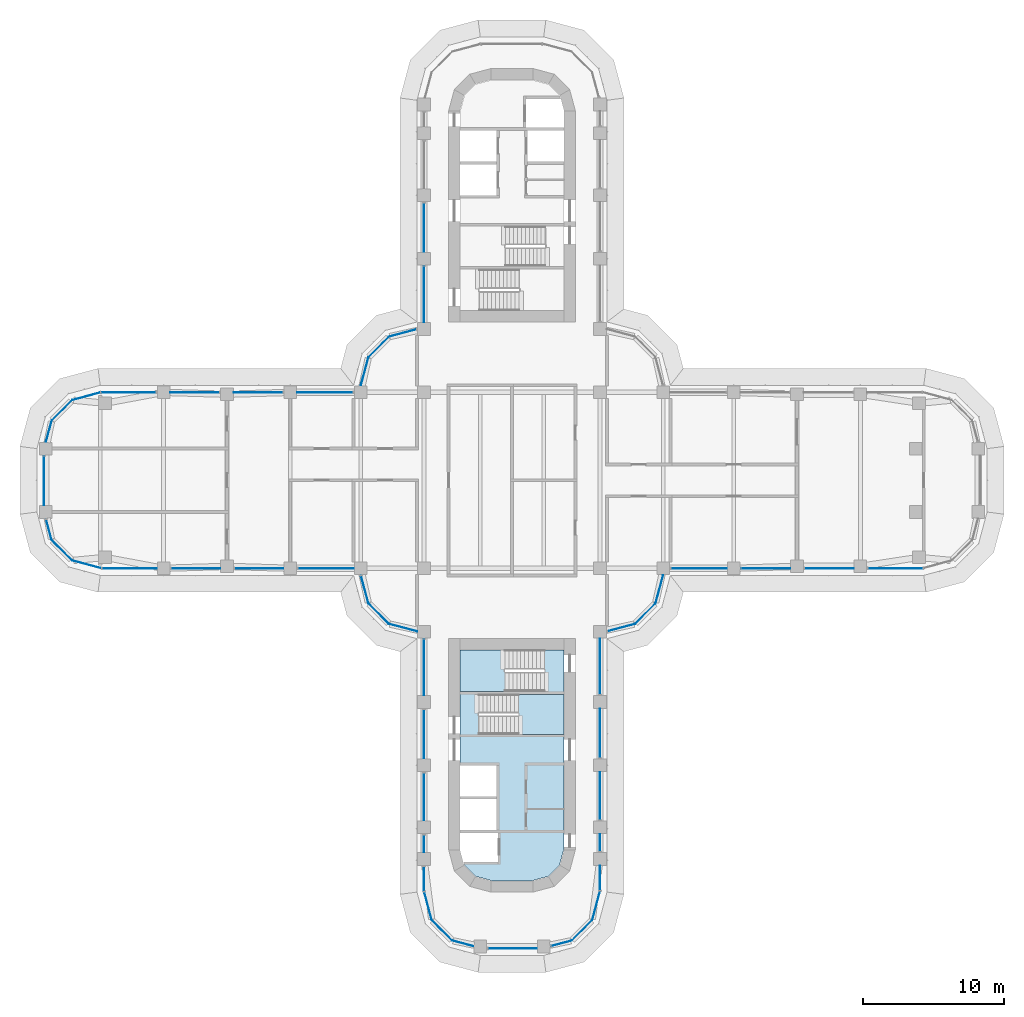
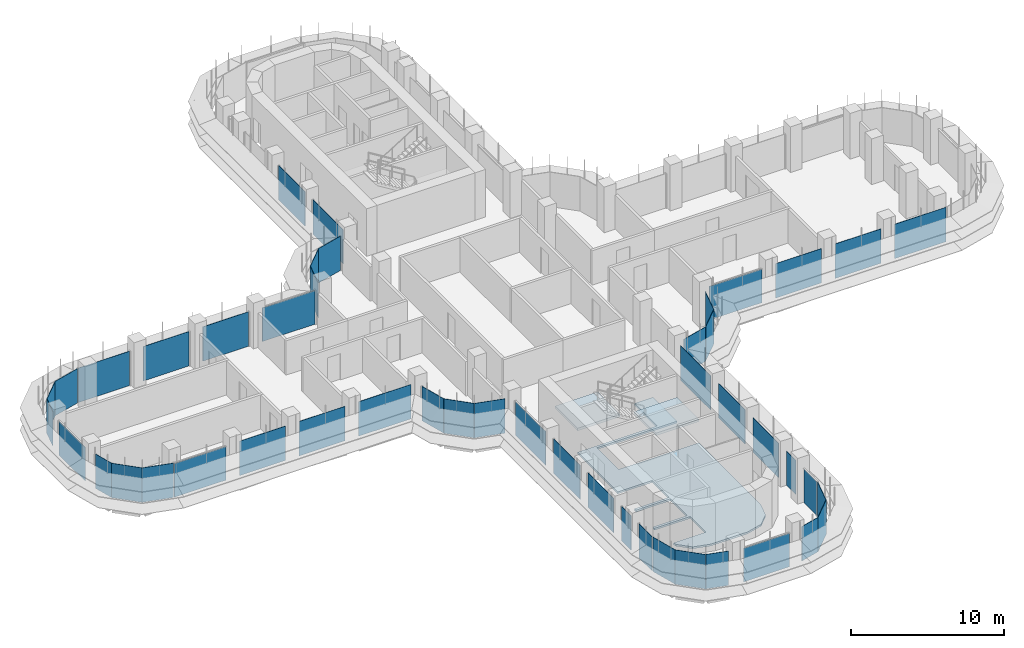
# One storey, part 12 of 22: 47 plates, 3 slabs, 31 elements without a shape of their own.
"""IFC4 building model written with IfcOpenShell, lengths in metres."""

import ifcopenshell
import ifcopenshell.guid

model = None  # the IFC model being written
_history = None  # IfcOwnerHistory: only IFC2X3 demands one
_inside = {}  # id of a spatial element -> (the spatial element, [elements in it])
_under = {}  # id of a project, library or spatial element -> (it, [spatial elements below it])
_declared = {}  # id of a project -> (the project, [libraries it declares])
_typed = {}  # id of a type object -> (the type object, [elements of that type])
_made_of = {}  # id of a material, layer set ... -> (it, [elements and type objects made of it])


def new_model(schema):
    """Start an empty IFC model of exactly this schema.

    Asked for "IFC4X3", IfcOpenShell would pick the latest addendum, in which some entities
    have other attributes; the version numbers below select the first issue.
    IFC2X3 requires an IfcOwnerHistory on every rooted entity: one is made here for all.
    """
    global model, _history
    if schema == "IFC4X3":
        model = ifcopenshell.file(schema_version=(4, 3, 0, 0))
    else:
        model = ifcopenshell.file(schema=schema)
    _inside.clear()
    _under.clear()
    _declared.clear()
    _typed.clear()
    _made_of.clear()
    _history = None
    if model.schema == "IFC2X3":
        org = make("IfcOrganization", Name="unknown")
        user = make(
            "IfcPersonAndOrganization",
            ThePerson=make("IfcPerson", FamilyName="unknown"),
            TheOrganization=org,
        )
        app = make(
            "IfcApplication",
            ApplicationDeveloper=org,
            Version="unknown",
            ApplicationFullName="unknown",
            ApplicationIdentifier="unknown",
        )
        _history = make(
            "IfcOwnerHistory",
            OwningUser=user,
            OwningApplication=app,
            ChangeAction="ADDED",
            CreationDate=0,
        )
    return model


def make(cls, **values):
    """One entity of the class cls with the attributes given. An attribute that is None is left unset."""
    return model.create_entity(
        cls, **{name: value for name, value in values.items() if value is not None}
    )


def rooted(cls, **values):
    """An entity with a GlobalId (a new one), such as an element, a storey or a relation."""
    return make(cls, GlobalId=ifcopenshell.guid.new(), OwnerHistory=_history, **values)


def si_unit(unit_type, name, prefix=None):
    """IfcSIUnit, for example si_unit("LENGTHUNIT", "METRE", prefix="MILLI")."""
    return make("IfcSIUnit", UnitType=unit_type, Prefix=prefix, Name=name)


def assignment(units):
    """IfcUnitAssignment: the units of a project."""
    return None if units is None else make("IfcUnitAssignment", Units=units)


def point(xyz):
    """IfcCartesianPoint."""
    return None if xyz is None else make("IfcCartesianPoint", Coordinates=xyz)


def direction(xyz):
    """IfcDirection."""
    return None if xyz is None else make("IfcDirection", DirectionRatios=xyz)


def frame(location, z_axis=None, x_axis=None):
    """IfcAxis2Placement3D, a coordinate frame: its origin and axes. An axis left out is left unset."""
    return make(
        "IfcAxis2Placement3D",
        Location=point(location),
        Axis=direction(z_axis),
        RefDirection=direction(x_axis),
    )


def origin():
    """The frame at (0, 0, 0) with its axes left unset."""
    return frame((0.0, 0.0, 0.0))


def place(relative_to, where):
    """IfcLocalPlacement: puts the frame where relative to a parent placement (None: the world)."""
    return make(
        "IfcLocalPlacement", PlacementRelTo=relative_to, RelativePlacement=where
    )


def context(
    kind, dimensions, precision=None, world=None, true_north=None, identifier=None
):
    """IfcGeometricRepresentationContext, for example the 3D "Model" context."""
    return make(
        "IfcGeometricRepresentationContext",
        ContextIdentifier=identifier,
        ContextType=kind,
        CoordinateSpaceDimension=dimensions,
        Precision=precision,
        WorldCoordinateSystem=world,
        TrueNorth=true_north,
    )


def subcontext(parent, identifier, kind, view, scale=None):
    """IfcGeometricRepresentationSubContext, for example "Body" below "Model"."""
    return make(
        "IfcGeometricRepresentationSubContext",
        ContextIdentifier=identifier,
        ContextType=kind,
        ParentContext=parent,
        TargetScale=scale,
        TargetView=view,
    )


def project(units=None, contexts=None):
    """IfcProject with its units and contexts."""
    return rooted(
        "IfcProject",
        Name="project",
        RepresentationContexts=contexts,
        UnitsInContext=assignment(units),
    )


def spatial(cls, under=None, at=None, **own):
    """A site, building, storey or space (cls), placed at a placement, below another one or the project."""
    s = rooted(cls, ObjectPlacement=at, **own)
    if under is not None:
        _under.setdefault(under.id(), (under, []))[1].append(s)
    return s


def polyline(points):
    """IfcPolyline through the points."""
    return make("IfcPolyline", Points=[point(p) for p in points])


def outline(outer, holes=None, kind="AREA"):
    """IfcArbitraryClosedProfileDef: a profile drawn as a closed curve; with holes, ...WithVoids."""
    if holes is None:
        return make("IfcArbitraryClosedProfileDef", ProfileType=kind, OuterCurve=outer)
    return make(
        "IfcArbitraryProfileDefWithVoids",
        ProfileType=kind,
        OuterCurve=outer,
        InnerCurves=holes,
    )


def extrude(swept, where, along, depth):
    """IfcExtrudedAreaSolid: the profile swept, set in the frame where, extruded along a direction by depth."""
    return make(
        "IfcExtrudedAreaSolid",
        SweptArea=swept,
        Position=where,
        ExtrudedDirection=direction(along),
        Depth=depth,
    )


def shape(context_of_items, identifier, shape_type, items):
    """IfcShapeRepresentation: the items that make up one representation, for example the "Body"."""
    return make(
        "IfcShapeRepresentation",
        ContextOfItems=context_of_items,
        RepresentationIdentifier=identifier,
        RepresentationType=shape_type,
        Items=items,
    )


def source(mapping_origin, context_of_items, identifier, shape_type, items):
    """IfcRepresentationMap: a shape defined once, which mapped items show again and again."""
    return make(
        "IfcRepresentationMap",
        MappingOrigin=mapping_origin,
        MappedRepresentation=shape(context_of_items, identifier, shape_type, items),
    )


def transform(
    local_origin,
    x_axis=None,
    y_axis=None,
    z_axis=None,
    scale=None,
    scale2=None,
    scale3=None,
    uniform=True,
):
    """IfcCartesianTransformationOperator3D, or its non-uniform kind. x_axis, y_axis, z_axis: its Axis1, 2, 3."""
    if uniform:
        return make(
            "IfcCartesianTransformationOperator3D",
            Axis1=direction(x_axis),
            Axis2=direction(y_axis),
            LocalOrigin=point(local_origin),
            Scale=scale,
            Axis3=direction(z_axis),
        )
    return make(
        "IfcCartesianTransformationOperator3DnonUniform",
        Axis1=direction(x_axis),
        Axis2=direction(y_axis),
        LocalOrigin=point(local_origin),
        Scale=scale,
        Axis3=direction(z_axis),
        Scale2=scale2,
        Scale3=scale3,
    )


def mapped(mapping_source, mapping_target):
    """IfcMappedItem: shows the shape of a source again, moved by a transform."""
    return make(
        "IfcMappedItem", MappingSource=mapping_source, MappingTarget=mapping_target
    )


def material(Name=None, Category=None):
    """IfcMaterial."""
    return make("IfcMaterial", Name=Name, Category=Category)


def layer(
    of_material, thickness, ventilated=None, Name=None, Category=None, Priority=None
):
    """IfcMaterialLayer: one layer of a wall or slab, of a material (None: an air gap)."""
    return make(
        "IfcMaterialLayer",
        Material=of_material,
        LayerThickness=thickness,
        IsVentilated=ventilated,
        Name=Name,
        Category=Category,
        Priority=Priority,
    )


def layer_set(layers, Name=None):
    """IfcMaterialLayerSet."""
    return make("IfcMaterialLayerSet", MaterialLayers=layers, LayerSetName=Name)


def made_of(thing, what):
    """Note that an element or type object is made of a material, layer set ...; save() writes the relation."""
    if what is not None:
        _made_of.setdefault(what.id(), (what, []))[1].append(thing)
    return thing


def type_object(cls, material=None, **own):
    """A type object (cls), such as IfcWallType, which elements share."""
    return made_of(rooted(cls, **own), material)


def element(
    cls,
    number,
    at=None,
    inside=None,
    cuts=None,
    type_object=None,
    material=None,
    context=None,
    identifier="Body",
    shape_type=None,
    held_by="IfcProductDefinitionShape",
    body=None,
    shapes=None,
    **own,
):
    """One element of the class cls, such as IfcWall. Its Tag is "e" and its number.

    at: its placement. inside: the storey or other place that contains it. cuts: it is an
    opening in that element (IfcRelVoidsElement). A single representation is given by context,
    identifier, shape_type and body (its items); several are given by shapes. held_by: the class
    of the entity that holds the representations. save() writes the other relations.
    """
    e = rooted(cls, Tag="e%d" % number, ObjectPlacement=at, **own)
    if body is not None:
        shapes = [shape(context, identifier, shape_type, body)]
    if shapes is not None:
        e.Representation = make(held_by, Representations=shapes)
    if inside is not None:
        _inside.setdefault(inside.id(), (inside, []))[1].append(e)
    if cuts is not None:
        rooted(
            "IfcRelVoidsElement", RelatingBuildingElement=cuts, RelatedOpeningElement=e
        )
    if type_object is not None:
        _typed.setdefault(type_object.id(), (type_object, []))[1].append(e)
    return made_of(e, material)


def aggregate(whole, parts):
    """IfcRelAggregates: a whole, such as a stair, and the parts it consists of."""
    return rooted("IfcRelAggregates", RelatingObject=whole, RelatedObjects=parts)


def save(model, path):
    """Write the relations noted so far, then the file.

    IfcRelAggregates (storeys below a building ...), IfcRelContainedInSpatialStructure (elements
    in a storey), IfcRelDefinesByType, IfcRelAssociatesMaterial and IfcRelDeclares: one each for
    every whole, place, type object, material and project.
    """
    for whole, parts in _under.values():
        aggregate(whole, parts)
    for where, things in _inside.values():
        rooted(
            "IfcRelContainedInSpatialStructure",
            RelatedElements=things,
            RelatingStructure=where,
        )
    for kind, things in _typed.values():
        rooted("IfcRelDefinesByType", RelatedObjects=things, RelatingType=kind)
    for what, things in _made_of.values():
        rooted("IfcRelAssociatesMaterial", RelatedObjects=things, RelatingMaterial=what)
    for by, libraries in _declared.values():
        rooted("IfcRelDeclares", RelatingContext=by, RelatedDefinitions=libraries)
    model.write(path)


model = new_model("IFC4")

# Units and contexts
model_context = context("Model", 3, precision=1e-05, world=origin(), true_north=direction((0.0, 1.0)))
body_context = subcontext(model_context, "Body", "Model", "MODEL_VIEW")
ifc_project = project(units=[si_unit("LENGTHUNIT", "METRE"), si_unit("AREAUNIT", "SQUARE_METRE"), si_unit("VOLUMEUNIT", "CUBIC_METRE"), si_unit("PLANEANGLEUNIT", "RADIAN"), si_unit("MASSUNIT", "GRAM", prefix="KILO")], contexts=[model_context])

# Site, building, storey
site_placement = place(None, origin())
site = spatial("IfcSite", under=ifc_project, at=site_placement, CompositionType="ELEMENT")
building_placement = place(site_placement, origin())
building = spatial("IfcBuilding", under=site, at=building_placement, Name="Zarbagh Exchange Tower", CompositionType="ELEMENT")
storey_placement = place(building_placement, frame((0.0, 0.0, 105.60009765625)))
storey = spatial("IfcBuildingStorey", under=building, at=storey_placement, Name="L24", CompositionType="ELEMENT", Elevation=105.60009765625)

# Slab
ifc_material_1 = material(Name="Concrete C40/50", Category="concrete")
ifc_layer_1 = layer(ifc_material_1, 0.14990234375)
ifc_layer_set_1 = layer_set([ifc_layer_1], Name="Core floor slab 150 C40/50")
slab_type_1 = type_object("IfcSlabType", Name="Core floor slab 150 C40/50", PredefinedType="FLOOR", material=ifc_layer_set_1)
slab_1_placement = place(storey_placement, frame((0.0, 0.0, -0.150146484375)))
element("IfcSlab", 1, at=slab_1_placement, inside=storey, type_object=slab_type_1, Name="S17 core S", PredefinedType="FLOOR", context=body_context, shape_type="SweptSolid", body=[
    extrude(outline(polyline([(-2.5859375, -28.130859375), (-3.380859375, -27.3359375), (-3.646484375, -26.3447265625), (-3.444091796875, -27.10009765625), (-1.0, -27.10009765625), (-1.0, -25.050048828125), (-3.699951171875, -25.050048828125), (-3.699951171875, -24.85009765625), (-1.10009765625, -24.85009765625), (-1.10009765625, -22.64990234375), (-3.699951171875, -22.64990234375), (-3.699951171875, -22.449951171875), (-1.10009765625, -22.449951171875), (-1.10009765625, -20.25), (-3.699951171875, -20.25), (-3.699951171875, -15.0), (2.300048828125, -15.0), (2.300048828125, -12.050048828125), (3.699951171875, -12.050048828125), (3.699951171875, -15.199951171875), (-2.35009765625, -15.199951171875), (-2.35009765625, -18.050048828125), (3.699951171875, -18.050048828125), (3.699951171875, -26.144775390625), (3.380859375, -27.3359375), (2.5859375, -28.130859375), (1.394775390625, -28.449951171875), (-1.394775390625, -28.449951171875), (-2.5859375, -28.130859375)])), origin(), (0.0, 0.0, 1.0), 0.150146484375),
])

# Stair, slab
stair_type = type_object("IfcStairType", Name="Exit stair two-flight half-turn", PredefinedType="HALF_TURN_STAIR", material=ifc_material_1)
stair_1_placement = place(storey_placement, origin())
stair_1 = element("IfcStair", 2, at=stair_1_placement, inside=storey, type_object=stair_type, Name="exit stair ST3", PredefinedType="HALF_TURN_STAIR")
ifc_layer_2 = layer(ifc_material_1, 0.199951171875)
ifc_layer_set_2 = layer_set([ifc_layer_2], Name="Stair landing 200 mm")
slab_type_2 = type_object("IfcSlabType", Name="Stair landing 200 mm", PredefinedType="LANDING", material=ifc_layer_set_2)
slab_2_placement = place(storey_placement, frame((0.0, 0.0, 1.699951171875)))
slab_2 = element("IfcSlab", 3, at=slab_2_placement, type_object=slab_type_2, Name="ST3 landing 1", PredefinedType="LANDING", context=body_context, shape_type="SweptSolid", body=[
    extrude(outline(polyline([(0.449951171875, -18.050048828125), (3.699951171875, -18.050048828125), (3.699951171875, -15.199951171875), (0.449951171875, -15.199951171875), (0.449951171875, -18.050048828125)])), origin(), (0.0, 0.0, 1.0), 0.199951171875),
])
aggregate(stair_1, [slab_2])

stair_2_placement = place(storey_placement, origin())
stair_2 = element("IfcStair", 4, at=stair_2_placement, inside=storey, type_object=stair_type, Name="exit stair ST4", PredefinedType="HALF_TURN_STAIR")
slab_3_placement = place(storey_placement, frame((0.0, 0.0, 1.699951171875)))
slab_3 = element("IfcSlab", 5, at=slab_3_placement, type_object=slab_type_2, Name="ST4 landing 1", PredefinedType="LANDING", context=body_context, shape_type="SweptSolid", body=[
    extrude(outline(polyline([(-0.5, -12.050048828125), (-3.699951171875, -12.050048828125), (-3.699951171875, -15.0), (-0.5, -15.0), (-0.5, -12.050048828125)])), origin(), (0.0, 0.0, 1.0), 0.199951171875),
])
aggregate(stair_2, [slab_3])

# Curtain wall, plate
ifc_material_2 = material(Name="Anodised aluminium frame and glazing", Category="aluminium")
curtain_wall_type = type_object("IfcCurtainWallType", Name="CWA Ribbon glazing, lower zones", PredefinedType="NOTDEFINED", material=ifc_material_2)
curtain_wall_1_placement = place(storey_placement, origin())
curtain_wall_1 = element("IfcCurtainWall", 6, at=curtain_wall_1_placement, inside=storey, type_object=curtain_wall_type, Name="CWA01 curtain wall", PredefinedType="NOTDEFINED")
ifc_material_3 = material(Name="Low-e double glazed unit, 6+12+6 mm")
ifc_layer_3 = layer(ifc_material_3, 0.028076171875)
ifc_layer_set_3 = layer_set([ifc_layer_3], Name="PAA Glazing panel, Low-e double glazed unit, 6+12+6 mm")
plate_type = type_object("IfcPlateType", Name="PAA Glazing panel, Low-e double glazed unit, 6+12+6 mm", PredefinedType="CURTAIN_PANEL", material=ifc_layer_set_3)
shared_shape_1 = source(origin(), body_context, "Body", "SweptSolid", [
    extrude(outline(polyline([(0.0, -0.013916015625), (1.494140625, -0.013916015625), (1.494140625, 0.013916015625), (0.0, 0.013916015625), (0.0, -0.013916015625)])), origin(), (0.0, 0.0, 1.0), 2.75),
])
placement = place(storey_placement, origin())
plate_1 = element("IfcPlate", 7, at=placement, type_object=plate_type, Name="CWA01 glazing panel 1.1", PredefinedType="CURTAIN_PANEL", context=body_context, shape_type="MappedRepresentation", body=[
    mapped(shared_shape_1, transform((2.7978515625, -33.08544921875, 0.0), x_axis=(0.965924289636, 0.258824779902, 0.0), y_axis=(-0.258824779902, 0.965924289636, 0.0), z_axis=(0.0, 0.0, 1.0))),
])
aggregate(curtain_wall_1, [plate_1])

curtain_wall_2_placement = place(storey_placement, origin())
curtain_wall_2 = element("IfcCurtainWall", 8, at=curtain_wall_2_placement, inside=storey, type_object=curtain_wall_type, Name="CWA37 curtain wall", PredefinedType="NOTDEFINED")
plate_2 = element("IfcPlate", 9, at=placement, type_object=plate_type, Name="CWA37 glazing panel 1.1", PredefinedType="CURTAIN_PANEL", context=body_context, shape_type="MappedRepresentation", body=[
    mapped(shared_shape_1, transform((-33.08544921875, -2.7978515625, 0.0), x_axis=(0.258824779902, -0.965924289636, 0.0), y_axis=(0.965924289636, 0.258824779902, 0.0), z_axis=(0.0, 0.0, 1.0))),
])
aggregate(curtain_wall_2, [plate_2])

curtain_wall_3_placement = place(storey_placement, origin())
curtain_wall_3 = element("IfcCurtainWall", 10, at=curtain_wall_3_placement, inside=storey, type_object=curtain_wall_type, Name="CWA02 curtain wall", PredefinedType="NOTDEFINED")
shared_shape_2 = source(origin(), body_context, "Body", "SweptSolid", [
    extrude(outline(polyline([(0.0, -0.013916015625), (2.061279296875, -0.013916015625), (2.061279296875, 0.013916015625), (0.0, 0.013916015625), (0.0, -0.013916015625)])), origin(), (0.0, 0.0, 1.0), 2.75),
])
plate_3 = element("IfcPlate", 11, at=placement, type_object=plate_type, Name="CWA02 glazing panel 1.1", PredefinedType="CURTAIN_PANEL", context=body_context, shape_type="MappedRepresentation", body=[
    mapped(shared_shape_2, transform((4.2412109375, -32.69873046875, 0.0), x_axis=(0.707106781187, 0.707106781187, 0.0), y_axis=(-0.707106781187, 0.707106781187, 0.0), z_axis=(0.0, 0.0, 1.0))),
])
aggregate(curtain_wall_3, [plate_3])

curtain_wall_4_placement = place(storey_placement, origin())
curtain_wall_4 = element("IfcCurtainWall", 12, at=curtain_wall_4_placement, inside=storey, type_object=curtain_wall_type, Name="CWA06 curtain wall", PredefinedType="NOTDEFINED")
plate_4 = element("IfcPlate", 13, at=placement, type_object=plate_type, Name="CWA06 glazing panel 1.1", PredefinedType="CURTAIN_PANEL", context=body_context, shape_type="MappedRepresentation", body=[
    mapped(shared_shape_2, transform((8.7412109375, -10.19873046875, 0.0), x_axis=(0.707106781187, 0.707106781187, 0.0), y_axis=(-0.707106781187, 0.707106781187, 0.0), z_axis=(0.0, 0.0, 1.0))),
])
aggregate(curtain_wall_4, [plate_4])

curtain_wall_5_placement = place(storey_placement, origin())
curtain_wall_5 = element("IfcCurtainWall", 14, at=curtain_wall_5_placement, inside=storey, type_object=curtain_wall_type, Name="CWA30 curtain wall", PredefinedType="NOTDEFINED")
plate_5 = element("IfcPlate", 15, at=placement, type_object=plate_type, Name="CWA30 glazing panel 1.1", PredefinedType="CURTAIN_PANEL", context=body_context, shape_type="MappedRepresentation", body=[
    mapped(shared_shape_2, transform((-8.7412109375, 10.19873046875, 0.0), x_axis=(-0.707106781187, -0.707106781187, 0.0), y_axis=(0.707106781187, -0.707106781187, 0.0), z_axis=(0.0, 0.0, 1.0))),
])
aggregate(curtain_wall_5, [plate_5])

curtain_wall_6_placement = place(storey_placement, origin())
curtain_wall_6 = element("IfcCurtainWall", 16, at=curtain_wall_6_placement, inside=storey, type_object=curtain_wall_type, Name="CWA34 curtain wall", PredefinedType="NOTDEFINED")
plate_6 = element("IfcPlate", 17, at=placement, type_object=plate_type, Name="CWA34 glazing panel 1.1", PredefinedType="CURTAIN_PANEL", context=body_context, shape_type="MappedRepresentation", body=[
    mapped(shared_shape_2, transform((-31.2412109375, 5.69873046875, 0.0), x_axis=(-0.707106781187, -0.707106781187, 0.0), y_axis=(0.707106781187, -0.707106781187, 0.0), z_axis=(0.0, 0.0, 1.0))),
])
aggregate(curtain_wall_6, [plate_6])

curtain_wall_7_placement = place(storey_placement, origin())
curtain_wall_7 = element("IfcCurtainWall", 18, at=curtain_wall_7_placement, inside=storey, type_object=curtain_wall_type, Name="CWA38 curtain wall", PredefinedType="NOTDEFINED")
plate_7 = element("IfcPlate", 19, at=placement, type_object=plate_type, Name="CWA38 glazing panel 1.1", PredefinedType="CURTAIN_PANEL", context=body_context, shape_type="MappedRepresentation", body=[
    mapped(shared_shape_2, transform((-32.69873046875, -4.2412109375, 0.0), x_axis=(0.707106781187, -0.707106781187, 0.0), y_axis=(0.707106781187, 0.707106781187, 0.0), z_axis=(0.0, 0.0, 1.0))),
])
aggregate(curtain_wall_7, [plate_7])

curtain_wall_8_placement = place(storey_placement, origin())
curtain_wall_8 = element("IfcCurtainWall", 20, at=curtain_wall_8_placement, inside=storey, type_object=curtain_wall_type, Name="CWA42 curtain wall", PredefinedType="NOTDEFINED")
plate_8 = element("IfcPlate", 21, at=placement, type_object=plate_type, Name="CWA42 glazing panel 1.1", PredefinedType="CURTAIN_PANEL", context=body_context, shape_type="MappedRepresentation", body=[
    mapped(shared_shape_2, transform((-10.19873046875, -8.7412109375, 0.0), x_axis=(0.707106781187, -0.707106781187, 0.0), y_axis=(0.707106781187, 0.707106781187, 0.0), z_axis=(0.0, 0.0, 1.0))),
])
aggregate(curtain_wall_8, [plate_8])

curtain_wall_9_placement = place(storey_placement, origin())
curtain_wall_9 = element("IfcCurtainWall", 22, at=curtain_wall_9_placement, inside=storey, type_object=curtain_wall_type, Name="CWA46 curtain wall", PredefinedType="NOTDEFINED")
plate_9 = element("IfcPlate", 23, at=placement, type_object=plate_type, Name="CWA46 glazing panel 1.1", PredefinedType="CURTAIN_PANEL", context=body_context, shape_type="MappedRepresentation", body=[
    mapped(shared_shape_2, transform((-5.69873046875, -31.2412109375, 0.0), x_axis=(0.707106781187, -0.707106781187, 0.0), y_axis=(0.707106781187, 0.707106781187, 0.0), z_axis=(0.0, 0.0, 1.0))),
])
aggregate(curtain_wall_9, [plate_9])

curtain_wall_10_placement = place(storey_placement, origin())
curtain_wall_10 = element("IfcCurtainWall", 24, at=curtain_wall_10_placement, inside=storey, type_object=curtain_wall_type, Name="CWA03 curtain wall", PredefinedType="NOTDEFINED")
shared_shape_3 = source(origin(), body_context, "Body", "SweptSolid", [
    extrude(outline(polyline([(0.0, -0.013916015625), (2.129638671875, -0.013916015625), (2.129638671875, 0.013916015625), (0.0, 0.013916015625), (0.0, -0.013916015625)])), origin(), (0.0, 0.0, 1.0), 2.75),
])
plate_10 = element("IfcPlate", 25, at=placement, type_object=plate_type, Name="CWA03 glazing panel 1.1", PredefinedType="CURTAIN_PANEL", context=body_context, shape_type="MappedRepresentation", body=[
    mapped(shared_shape_3, transform((5.69873046875, -31.2412109375, 0.0), x_axis=(0.258824779902, 0.965924289636, 0.0), y_axis=(-0.965924289636, 0.258824779902, 0.0), z_axis=(0.0, 0.0, 1.0))),
])
aggregate(curtain_wall_10, [plate_10])

curtain_wall_11_placement = place(storey_placement, origin())
curtain_wall_11 = element("IfcCurtainWall", 26, at=curtain_wall_11_placement, inside=storey, type_object=curtain_wall_type, Name="CWA39 curtain wall", PredefinedType="NOTDEFINED")
plate_11 = element("IfcPlate", 27, at=placement, type_object=plate_type, Name="CWA39 glazing panel 1.1", PredefinedType="CURTAIN_PANEL", context=body_context, shape_type="MappedRepresentation", body=[
    mapped(shared_shape_3, transform((-31.2412109375, -5.69873046875, 0.0), x_axis=(0.965924289636, -0.258824779902, 0.0), y_axis=(0.258824779902, 0.965924289636, 0.0), z_axis=(0.0, 0.0, 1.0))),
])
aggregate(curtain_wall_11, [plate_11])

# Curtain wall, plates
curtain_wall_12_placement = place(storey_placement, origin())
curtain_wall_12 = element("IfcCurtainWall", 28, at=curtain_wall_12_placement, inside=storey, type_object=curtain_wall_type, Name="CWA04 curtain wall", PredefinedType="NOTDEFINED")
shared_shape_4 = source(origin(), body_context, "Body", "SweptSolid", [
    extrude(outline(polyline([(0.0, -0.013916015625), (1.734130859375, -0.013916015625), (1.734130859375, 0.013916015625), (0.0, 0.013916015625), (0.0, -0.013916015625)])), origin(), (0.0, 0.0, 1.0), 2.68994140625),
])
plate_12 = element("IfcPlate", 29, at=placement, type_object=plate_type, Name="CWA04 glazing panel 1.1", PredefinedType="CURTAIN_PANEL", context=body_context, shape_type="MappedRepresentation", body=[
    mapped(shared_shape_4, transform((6.25, -29.124267578125, 0.0), x_axis=(0.0, 1.0, 0.0), y_axis=(-1.0, 0.0, 0.0), z_axis=(0.0, 0.0, 1.0))),
])
shared_shape_5 = source(origin(), body_context, "Body", "SweptSolid", [
    extrude(outline(polyline([(0.0, -0.013916015625), (1.2099609375, -0.013916015625), (1.2099609375, 0.013916015625), (0.0, 0.013916015625), (0.0, -0.013916015625)])), origin(), (0.0, 0.0, 1.0), 2.75),
])
plate_13 = element("IfcPlate", 30, at=placement, type_object=plate_type, Name="CWA04 glazing panel 2.1", PredefinedType="CURTAIN_PANEL", context=body_context, shape_type="MappedRepresentation", body=[
    mapped(shared_shape_5, transform((6.25, -26.349853515625, 0.0), x_axis=(0.0, 1.0, 0.0), y_axis=(-1.0, 0.0, 0.0), z_axis=(0.0, 0.0, 1.0))),
])

# Curtain wall, plate
curtain_wall_13_placement = place(storey_placement, origin())
curtain_wall_13 = element("IfcCurtainWall", 31, at=curtain_wall_13_placement, inside=storey, type_object=curtain_wall_type, Name="CWA44 curtain wall", PredefinedType="NOTDEFINED")
plate_14 = element("IfcPlate", 32, at=placement, type_object=plate_type, Name="CWA44 glazing panel 4.1", PredefinedType="CURTAIN_PANEL", context=body_context, shape_type="MappedRepresentation", body=[
    mapped(shared_shape_5, transform((-6.25, -25.199951171875, 0.0), x_axis=(0.0, -1.0, 0.0), y_axis=(1.0, 0.0, 0.0), z_axis=(0.0, 0.0, 1.0))),
])

# Plate
shared_shape_6 = source(origin(), body_context, "Body", "SweptSolid", [
    extrude(outline(polyline([(0.0, -0.013916015625), (3.360107421875, -0.013916015625), (3.360107421875, 0.013916015625), (0.0, 0.013916015625), (0.0, -0.013916015625)])), origin(), (0.0, 0.0, 1.0), 2.75),
])
plate_15 = element("IfcPlate", 33, at=placement, type_object=plate_type, Name="CWA04 glazing panel 3.1", PredefinedType="CURTAIN_PANEL", context=body_context, shape_type="MappedRepresentation", body=[
    mapped(shared_shape_6, transform((6.25, -24.099853515625, 0.0), x_axis=(0.0, 1.0, 0.0), y_axis=(-1.0, 0.0, 0.0), z_axis=(0.0, 0.0, 1.0))),
])

plate_16 = element("IfcPlate", 34, at=placement, type_object=plate_type, Name="CWA44 glazing panel 3.1", PredefinedType="CURTAIN_PANEL", context=body_context, shape_type="MappedRepresentation", body=[
    mapped(shared_shape_6, transform((-6.25, -20.800048828125, 0.0), x_axis=(0.0, -1.0, 0.0), y_axis=(1.0, 0.0, 0.0), z_axis=(0.0, 0.0, 1.0))),
])

shared_shape_7 = source(origin(), body_context, "Body", "SweptSolid", [
    extrude(outline(polyline([(0.0, -0.013916015625), (3.4599609375, -0.013916015625), (3.4599609375, 0.013916015625), (0.0, 0.013916015625), (0.0, -0.013916015625)])), origin(), (0.0, 0.0, 1.0), 2.75),
])
plate_17 = element("IfcPlate", 35, at=placement, type_object=plate_type, Name="CWA04 glazing panel 4.1", PredefinedType="CURTAIN_PANEL", context=body_context, shape_type="MappedRepresentation", body=[
    mapped(shared_shape_7, transform((6.25, -19.699951171875, 0.0), x_axis=(0.0, 1.0, 0.0), y_axis=(-1.0, 0.0, 0.0), z_axis=(0.0, 0.0, 1.0))),
])

# Curtain wall, plates
curtain_wall_14_placement = place(storey_placement, origin())
curtain_wall_14 = element("IfcCurtainWall", 36, at=curtain_wall_14_placement, inside=storey, type_object=curtain_wall_type, Name="CWA08 curtain wall", PredefinedType="NOTDEFINED")
plate_18 = element("IfcPlate", 37, at=placement, type_object=plate_type, Name="CWA08 glazing panel 2.1", PredefinedType="CURTAIN_PANEL", context=body_context, shape_type="MappedRepresentation", body=[
    mapped(shared_shape_7, transform((16.300048828125, -6.25, 0.0), x_axis=(1.0, 0.0, 0.0), y_axis=(0.0, 1.0, 0.0), z_axis=(0.0, 0.0, 1.0))),
])
plate_19 = element("IfcPlate", 38, at=placement, type_object=plate_type, Name="CWA08 glazing panel 3.1", PredefinedType="CURTAIN_PANEL", context=body_context, shape_type="MappedRepresentation", body=[
    mapped(shared_shape_7, transform((20.800048828125, -6.25, 0.0), x_axis=(1.0, 0.0, 0.0), y_axis=(0.0, 1.0, 0.0), z_axis=(0.0, 0.0, 1.0))),
])

# Curtain wall, plate
curtain_wall_15_placement = place(storey_placement, origin())
curtain_wall_15 = element("IfcCurtainWall", 39, at=curtain_wall_15_placement, inside=storey, type_object=curtain_wall_type, Name="CWA56 curtain wall", PredefinedType="NOTDEFINED")
plate_20 = element("IfcPlate", 40, at=placement, type_object=plate_type, Name="CWA56 glazing panel 3.1", PredefinedType="CURTAIN_PANEL", context=body_context, shape_type="MappedRepresentation", body=[
    mapped(shared_shape_7, transform((-6.25, 19.699951171875, 0.0), x_axis=(0.0, -1.0, 0.0), y_axis=(1.0, 0.0, 0.0), z_axis=(0.0, 0.0, 1.0))),
])

# Curtain wall, plates
curtain_wall_16_placement = place(storey_placement, origin())
curtain_wall_16 = element("IfcCurtainWall", 41, at=curtain_wall_16_placement, inside=storey, type_object=curtain_wall_type, Name="CWA32 curtain wall", PredefinedType="NOTDEFINED")
plate_21 = element("IfcPlate", 42, at=placement, type_object=plate_type, Name="CWA32 glazing panel 2.1", PredefinedType="CURTAIN_PANEL", context=body_context, shape_type="MappedRepresentation", body=[
    mapped(shared_shape_7, transform((-16.300048828125, 6.25, 0.0), x_axis=(-1.0, 0.0, 0.0), y_axis=(0.0, -1.0, 0.0), z_axis=(0.0, 0.0, 1.0))),
])
plate_22 = element("IfcPlate", 43, at=placement, type_object=plate_type, Name="CWA32 glazing panel 3.1", PredefinedType="CURTAIN_PANEL", context=body_context, shape_type="MappedRepresentation", body=[
    mapped(shared_shape_7, transform((-20.800048828125, 6.25, 0.0), x_axis=(-1.0, 0.0, 0.0), y_axis=(0.0, -1.0, 0.0), z_axis=(0.0, 0.0, 1.0))),
])

curtain_wall_17_placement = place(storey_placement, origin())
curtain_wall_17 = element("IfcCurtainWall", 44, at=curtain_wall_17_placement, inside=storey, type_object=curtain_wall_type, Name="CWA40 curtain wall", PredefinedType="NOTDEFINED")
plate_23 = element("IfcPlate", 45, at=placement, type_object=plate_type, Name="CWA40 glazing panel 2.1", PredefinedType="CURTAIN_PANEL", context=body_context, shape_type="MappedRepresentation", body=[
    mapped(shared_shape_7, transform((-24.199951171875, -6.25, 0.0), x_axis=(1.0, 0.0, 0.0), y_axis=(0.0, 1.0, 0.0), z_axis=(0.0, 0.0, 1.0))),
])
plate_24 = element("IfcPlate", 46, at=placement, type_object=plate_type, Name="CWA40 glazing panel 3.1", PredefinedType="CURTAIN_PANEL", context=body_context, shape_type="MappedRepresentation", body=[
    mapped(shared_shape_7, transform((-19.699951171875, -6.25, 0.0), x_axis=(1.0, 0.0, 0.0), y_axis=(0.0, 1.0, 0.0), z_axis=(0.0, 0.0, 1.0))),
])

# Plate
plate_25 = element("IfcPlate", 47, at=placement, type_object=plate_type, Name="CWA44 glazing panel 2.1", PredefinedType="CURTAIN_PANEL", context=body_context, shape_type="MappedRepresentation", body=[
    mapped(shared_shape_7, transform((-6.25, -16.300048828125, 0.0), x_axis=(0.0, -1.0, 0.0), y_axis=(1.0, 0.0, 0.0), z_axis=(0.0, 0.0, 1.0))),
])

shared_shape_8 = source(origin(), body_context, "Body", "SweptSolid", [
    extrude(outline(polyline([(0.0, -0.013916015625), (3.9599609375, -0.013916015625), (3.9599609375, 0.013916015625), (0.0, 0.013916015625), (0.0, -0.013916015625)])), origin(), (0.0, 0.0, 1.0), 2.75),
])
plate_26 = element("IfcPlate", 48, at=placement, type_object=plate_type, Name="CWA04 glazing panel 5.1", PredefinedType="CURTAIN_PANEL", context=body_context, shape_type="MappedRepresentation", body=[
    mapped(shared_shape_8, transform((6.25, -15.199951171875, 0.0), x_axis=(0.0, 1.0, 0.0), y_axis=(-1.0, 0.0, 0.0), z_axis=(0.0, 0.0, 1.0))),
])

aggregate(curtain_wall_12, [plate_12, plate_13, plate_15, plate_17, plate_26])

plate_27 = element("IfcPlate", 49, at=placement, type_object=plate_type, Name="CWA56 glazing panel 4.1", PredefinedType="CURTAIN_PANEL", context=body_context, shape_type="MappedRepresentation", body=[
    mapped(shared_shape_8, transform((-6.25, 15.199951171875, 0.0), x_axis=(0.0, -1.0, 0.0), y_axis=(1.0, 0.0, 0.0), z_axis=(0.0, 0.0, 1.0))),
])

aggregate(curtain_wall_15, [plate_20, plate_27])

plate_28 = element("IfcPlate", 50, at=placement, type_object=plate_type, Name="CWA40 glazing panel 4.1", PredefinedType="CURTAIN_PANEL", context=body_context, shape_type="MappedRepresentation", body=[
    mapped(shared_shape_8, transform((-15.199951171875, -6.25, 0.0), x_axis=(1.0, 0.0, 0.0), y_axis=(0.0, 1.0, 0.0), z_axis=(0.0, 0.0, 1.0))),
])

# Curtain wall, plate
curtain_wall_18_placement = place(storey_placement, origin())
curtain_wall_18 = element("IfcCurtainWall", 51, at=curtain_wall_18_placement, inside=storey, type_object=curtain_wall_type, Name="CWA05 curtain wall", PredefinedType="NOTDEFINED")
shared_shape_9 = source(origin(), body_context, "Body", "SweptSolid", [
    extrude(outline(polyline([(0.0, -0.013916015625), (2.01171875, -0.013916015625), (2.01171875, 0.013916015625), (0.0, 0.013916015625), (0.0, -0.013916015625)])), origin(), (0.0, 0.0, 1.0), 2.75),
])
plate_29 = element("IfcPlate", 52, at=placement, type_object=plate_type, Name="CWA05 glazing panel 1.1", PredefinedType="CURTAIN_PANEL", context=body_context, shape_type="MappedRepresentation", body=[
    mapped(shared_shape_9, transform((6.7978515625, -10.719482421875, 0.0), x_axis=(0.965924289636, 0.258824779902, 0.0), y_axis=(-0.258824779902, 0.965924289636, 0.0), z_axis=(0.0, 0.0, 1.0))),
])
aggregate(curtain_wall_18, [plate_29])

curtain_wall_19_placement = place(storey_placement, origin())
curtain_wall_19 = element("IfcCurtainWall", 53, at=curtain_wall_19_placement, inside=storey, type_object=curtain_wall_type, Name="CWA29 curtain wall", PredefinedType="NOTDEFINED")
plate_30 = element("IfcPlate", 54, at=placement, type_object=plate_type, Name="CWA29 glazing panel 1.1", PredefinedType="CURTAIN_PANEL", context=body_context, shape_type="MappedRepresentation", body=[
    mapped(shared_shape_9, transform((-6.7978515625, 10.719482421875, 0.0), x_axis=(-0.965924289636, -0.258824779902, 0.0), y_axis=(0.258824779902, -0.965924289636, 0.0), z_axis=(0.0, 0.0, 1.0))),
])
aggregate(curtain_wall_19, [plate_30])

curtain_wall_20_placement = place(storey_placement, origin())
curtain_wall_20 = element("IfcCurtainWall", 55, at=curtain_wall_20_placement, inside=storey, type_object=curtain_wall_type, Name="CWA41 curtain wall", PredefinedType="NOTDEFINED")
plate_31 = element("IfcPlate", 56, at=placement, type_object=plate_type, Name="CWA41 glazing panel 1.1", PredefinedType="CURTAIN_PANEL", context=body_context, shape_type="MappedRepresentation", body=[
    mapped(shared_shape_9, transform((-10.719482421875, -6.7978515625, 0.0), x_axis=(0.258824779902, -0.965924289636, 0.0), y_axis=(0.965924289636, 0.258824779902, 0.0), z_axis=(0.0, 0.0, 1.0))),
])
aggregate(curtain_wall_20, [plate_31])

curtain_wall_21_placement = place(storey_placement, origin())
curtain_wall_21 = element("IfcCurtainWall", 57, at=curtain_wall_21_placement, inside=storey, type_object=curtain_wall_type, Name="CWA07 curtain wall", PredefinedType="NOTDEFINED")
shared_shape_10 = source(origin(), body_context, "Body", "SweptSolid", [
    extrude(outline(polyline([(0.0, -0.013916015625), (2.07177734375, -0.013916015625), (2.07177734375, 0.013916015625), (0.0, 0.013916015625), (0.0, -0.013916015625)])), origin(), (0.0, 0.0, 1.0), 2.75),
])
plate_32 = element("IfcPlate", 58, at=placement, type_object=plate_type, Name="CWA07 glazing panel 1.1", PredefinedType="CURTAIN_PANEL", context=body_context, shape_type="MappedRepresentation", body=[
    mapped(shared_shape_10, transform((10.19873046875, -8.7412109375, 0.0), x_axis=(0.258824779902, 0.965924289636, 0.0), y_axis=(-0.965924289636, 0.258824779902, 0.0), z_axis=(0.0, 0.0, 1.0))),
])
aggregate(curtain_wall_21, [plate_32])

curtain_wall_22_placement = place(storey_placement, origin())
curtain_wall_22 = element("IfcCurtainWall", 59, at=curtain_wall_22_placement, inside=storey, type_object=curtain_wall_type, Name="CWA31 curtain wall", PredefinedType="NOTDEFINED")
plate_33 = element("IfcPlate", 60, at=placement, type_object=plate_type, Name="CWA31 glazing panel 1.1", PredefinedType="CURTAIN_PANEL", context=body_context, shape_type="MappedRepresentation", body=[
    mapped(shared_shape_10, transform((-10.19873046875, 8.7412109375, 0.0), x_axis=(-0.258824779902, -0.965924289636, 0.0), y_axis=(0.965924289636, -0.258824779902, 0.0), z_axis=(0.0, 0.0, 1.0))),
])
aggregate(curtain_wall_22, [plate_33])

curtain_wall_23_placement = place(storey_placement, origin())
curtain_wall_23 = element("IfcCurtainWall", 61, at=curtain_wall_23_placement, inside=storey, type_object=curtain_wall_type, Name="CWA43 curtain wall", PredefinedType="NOTDEFINED")
plate_34 = element("IfcPlate", 62, at=placement, type_object=plate_type, Name="CWA43 glazing panel 1.1", PredefinedType="CURTAIN_PANEL", context=body_context, shape_type="MappedRepresentation", body=[
    mapped(shared_shape_10, transform((-8.7412109375, -10.19873046875, 0.0), x_axis=(0.965924289636, -0.258824779902, 0.0), y_axis=(0.258824779902, 0.965924289636, 0.0), z_axis=(0.0, 0.0, 1.0))),
])
aggregate(curtain_wall_23, [plate_34])

# Plate
shared_shape_11 = source(origin(), body_context, "Body", "SweptSolid", [
    extrude(outline(polyline([(0.0, -0.013916015625), (3.9599609375, -0.013916015625), (3.9599609375, 0.013916015625), (0.0, 0.013916015625), (0.0, -0.013916015625)])), origin(), (0.0, 0.0, 1.0), 2.68994140625),
])
plate_35 = element("IfcPlate", 63, at=placement, type_object=plate_type, Name="CWA08 glazing panel 1.1", PredefinedType="CURTAIN_PANEL", context=body_context, shape_type="MappedRepresentation", body=[
    mapped(shared_shape_11, transform((11.300048828125, -6.25, 0.0), x_axis=(1.0, 0.0, 0.0), y_axis=(0.0, 1.0, 0.0), z_axis=(0.0, 0.0, 1.0))),
])

plate_36 = element("IfcPlate", 64, at=placement, type_object=plate_type, Name="CWA32 glazing panel 1.1", PredefinedType="CURTAIN_PANEL", context=body_context, shape_type="MappedRepresentation", body=[
    mapped(shared_shape_11, transform((-11.300048828125, 6.25, 0.0), x_axis=(-1.0, 0.0, 0.0), y_axis=(0.0, -1.0, 0.0), z_axis=(0.0, 0.0, 1.0))),
])

plate_37 = element("IfcPlate", 65, at=placement, type_object=plate_type, Name="CWA44 glazing panel 1.1", PredefinedType="CURTAIN_PANEL", context=body_context, shape_type="MappedRepresentation", body=[
    mapped(shared_shape_11, transform((-6.25, -11.300048828125, 0.0), x_axis=(0.0, -1.0, 0.0), y_axis=(1.0, 0.0, 0.0), z_axis=(0.0, 0.0, 1.0))),
])

shared_shape_12 = source(origin(), body_context, "Body", "SweptSolid", [
    extrude(outline(polyline([(0.0, -0.013916015625), (3.884033203125, -0.013916015625), (3.884033203125, 0.013916015625), (0.0, 0.013916015625), (0.0, -0.013916015625)])), origin(), (0.0, 0.0, 1.0), 2.75),
])
plate_38 = element("IfcPlate", 66, at=placement, type_object=plate_type, Name="CWA08 glazing panel 4.1", PredefinedType="CURTAIN_PANEL", context=body_context, shape_type="MappedRepresentation", body=[
    mapped(shared_shape_12, transform((25.300048828125, -6.25, 0.0), x_axis=(1.0, 0.0, 0.0), y_axis=(0.0, 1.0, 0.0), z_axis=(0.0, 0.0, 1.0))),
])

aggregate(curtain_wall_14, [plate_35, plate_18, plate_19, plate_38])

plate_39 = element("IfcPlate", 67, at=placement, type_object=plate_type, Name="CWA32 glazing panel 4.1", PredefinedType="CURTAIN_PANEL", context=body_context, shape_type="MappedRepresentation", body=[
    mapped(shared_shape_12, transform((-25.300048828125, 6.25, 0.0), x_axis=(-1.0, 0.0, 0.0), y_axis=(0.0, -1.0, 0.0), z_axis=(0.0, 0.0, 1.0))),
])

aggregate(curtain_wall_16, [plate_36, plate_21, plate_22, plate_39])

# Curtain wall, plate
curtain_wall_24_placement = place(storey_placement, origin())
curtain_wall_24 = element("IfcCurtainWall", 68, at=curtain_wall_24_placement, inside=storey, type_object=curtain_wall_type, Name="CWA33 curtain wall", PredefinedType="NOTDEFINED")
shared_shape_13 = source(origin(), body_context, "Body", "SweptSolid", [
    extrude(outline(polyline([(0.0, -0.013916015625), (2.069580078125, -0.013916015625), (2.069580078125, 0.013916015625), (0.0, 0.013916015625), (0.0, -0.013916015625)])), origin(), (0.0, 0.0, 1.0), 2.75),
])
plate_40 = element("IfcPlate", 69, at=placement, type_object=plate_type, Name="CWA33 glazing panel 1.1", PredefinedType="CURTAIN_PANEL", context=body_context, shape_type="MappedRepresentation", body=[
    mapped(shared_shape_13, transform((-29.2421875, 6.234375, 0.0), x_axis=(-0.965924289636, -0.258824779902, 0.0), y_axis=(0.258824779902, -0.965924289636, 0.0), z_axis=(0.0, 0.0, 1.0))),
])
aggregate(curtain_wall_24, [plate_40])

curtain_wall_25_placement = place(storey_placement, origin())
curtain_wall_25 = element("IfcCurtainWall", 70, at=curtain_wall_25_placement, inside=storey, type_object=curtain_wall_type, Name="CWA45 curtain wall", PredefinedType="NOTDEFINED")
plate_41 = element("IfcPlate", 71, at=placement, type_object=plate_type, Name="CWA45 glazing panel 1.1", PredefinedType="CURTAIN_PANEL", context=body_context, shape_type="MappedRepresentation", body=[
    mapped(shared_shape_13, transform((-6.234375, -29.2421875, 0.0), x_axis=(0.258824779902, -0.965924289636, 0.0), y_axis=(0.965924289636, 0.258824779902, 0.0), z_axis=(0.0, 0.0, 1.0))),
])
aggregate(curtain_wall_25, [plate_41])

curtain_wall_26_placement = place(storey_placement, origin())
curtain_wall_26 = element("IfcCurtainWall", 72, at=curtain_wall_26_placement, inside=storey, type_object=curtain_wall_type, Name="CWA35 curtain wall", PredefinedType="NOTDEFINED")
shared_shape_14 = source(origin(), body_context, "Body", "SweptSolid", [
    extrude(outline(polyline([(0.0, -0.013916015625), (1.55419921875, -0.013916015625), (1.55419921875, 0.013916015625), (0.0, 0.013916015625), (0.0, -0.013916015625)])), origin(), (0.0, 0.0, 1.0), 2.75),
])
plate_42 = element("IfcPlate", 73, at=placement, type_object=plate_type, Name="CWA35 glazing panel 1.1", PredefinedType="CURTAIN_PANEL", context=body_context, shape_type="MappedRepresentation", body=[
    mapped(shared_shape_14, transform((-32.69873046875, 4.2412109375, 0.0), x_axis=(-0.258824779902, -0.965924289636, 0.0), y_axis=(0.965924289636, -0.258824779902, 0.0), z_axis=(0.0, 0.0, 1.0))),
])
aggregate(curtain_wall_26, [plate_42])

curtain_wall_27_placement = place(storey_placement, origin())
curtain_wall_27 = element("IfcCurtainWall", 74, at=curtain_wall_27_placement, inside=storey, type_object=curtain_wall_type, Name="CWA47 curtain wall", PredefinedType="NOTDEFINED")
plate_43 = element("IfcPlate", 75, at=placement, type_object=plate_type, Name="CWA47 glazing panel 1.1", PredefinedType="CURTAIN_PANEL", context=body_context, shape_type="MappedRepresentation", body=[
    mapped(shared_shape_14, transform((-4.2412109375, -32.69873046875, 0.0), x_axis=(0.965924289636, -0.258824779902, 0.0), y_axis=(0.258824779902, 0.965924289636, 0.0), z_axis=(0.0, 0.0, 1.0))),
])
aggregate(curtain_wall_27, [plate_43])

curtain_wall_28_placement = place(storey_placement, origin())
curtain_wall_28 = element("IfcCurtainWall", 76, at=curtain_wall_28_placement, inside=storey, type_object=curtain_wall_type, Name="CWA36 curtain wall", PredefinedType="NOTDEFINED")
shared_shape_15 = source(origin(), body_context, "Body", "SweptSolid", [
    extrude(outline(polyline([(0.0, -0.013916015625), (3.4599609375, -0.013916015625), (3.4599609375, 0.013916015625), (0.0, 0.013916015625), (0.0, -0.013916015625)])), origin(), (0.0, 0.0, 1.0), 2.68994140625),
])
plate_44 = element("IfcPlate", 77, at=placement, type_object=plate_type, Name="CWA36 glazing panel 1.1", PredefinedType="CURTAIN_PANEL", context=body_context, shape_type="MappedRepresentation", body=[
    mapped(shared_shape_15, transform((-33.25, 1.699951171875, 0.0), x_axis=(0.0, -1.0, 0.0), y_axis=(1.0, 0.0, 0.0), z_axis=(0.0, 0.0, 1.0))),
])
aggregate(curtain_wall_28, [plate_44])

curtain_wall_29_placement = place(storey_placement, origin())
curtain_wall_29 = element("IfcCurtainWall", 78, at=curtain_wall_29_placement, inside=storey, type_object=curtain_wall_type, Name="CWA48 curtain wall", PredefinedType="NOTDEFINED")
plate_45 = element("IfcPlate", 79, at=placement, type_object=plate_type, Name="CWA48 glazing panel 1.1", PredefinedType="CURTAIN_PANEL", context=body_context, shape_type="MappedRepresentation", body=[
    mapped(shared_shape_15, transform((-1.699951171875, -33.25, 0.0), x_axis=(1.0, 0.0, 0.0), y_axis=(0.0, 1.0, 0.0), z_axis=(0.0, 0.0, 1.0))),
])
aggregate(curtain_wall_29, [plate_45])

# Plate
shared_shape_16 = source(origin(), body_context, "Body", "SweptSolid", [
    extrude(outline(polyline([(0.0, -0.013916015625), (3.88427734375, -0.013916015625), (3.88427734375, 0.013916015625), (0.0, 0.013916015625), (0.0, -0.013916015625)])), origin(), (0.0, 0.0, 1.0), 2.68994140625),
])
plate_46 = element("IfcPlate", 80, at=placement, type_object=plate_type, Name="CWA40 glazing panel 1.1", PredefinedType="CURTAIN_PANEL", context=body_context, shape_type="MappedRepresentation", body=[
    mapped(shared_shape_16, transform((-29.124267578125, -6.25, 0.0), x_axis=(1.0, 0.0, 0.0), y_axis=(0.0, 1.0, 0.0), z_axis=(0.0, 0.0, 1.0))),
])

aggregate(curtain_wall_17, [plate_46, plate_23, plate_24, plate_28])

shared_shape_17 = source(origin(), body_context, "Body", "SweptSolid", [
    extrude(outline(polyline([(0.0, -0.013916015625), (1.734130859375, -0.013916015625), (1.734130859375, 0.013916015625), (0.0, 0.013916015625), (0.0, -0.013916015625)])), origin(), (0.0, 0.0, 1.0), 2.75),
])
plate_47 = element("IfcPlate", 81, at=placement, type_object=plate_type, Name="CWA44 glazing panel 5.1", PredefinedType="CURTAIN_PANEL", context=body_context, shape_type="MappedRepresentation", body=[
    mapped(shared_shape_17, transform((-6.25, -27.449951171875, 0.0), x_axis=(0.0, -1.0, 0.0), y_axis=(1.0, 0.0, 0.0), z_axis=(0.0, 0.0, 1.0))),
])

aggregate(curtain_wall_13, [plate_37, plate_25, plate_16, plate_14, plate_47])

save(model, "model.ifc")
